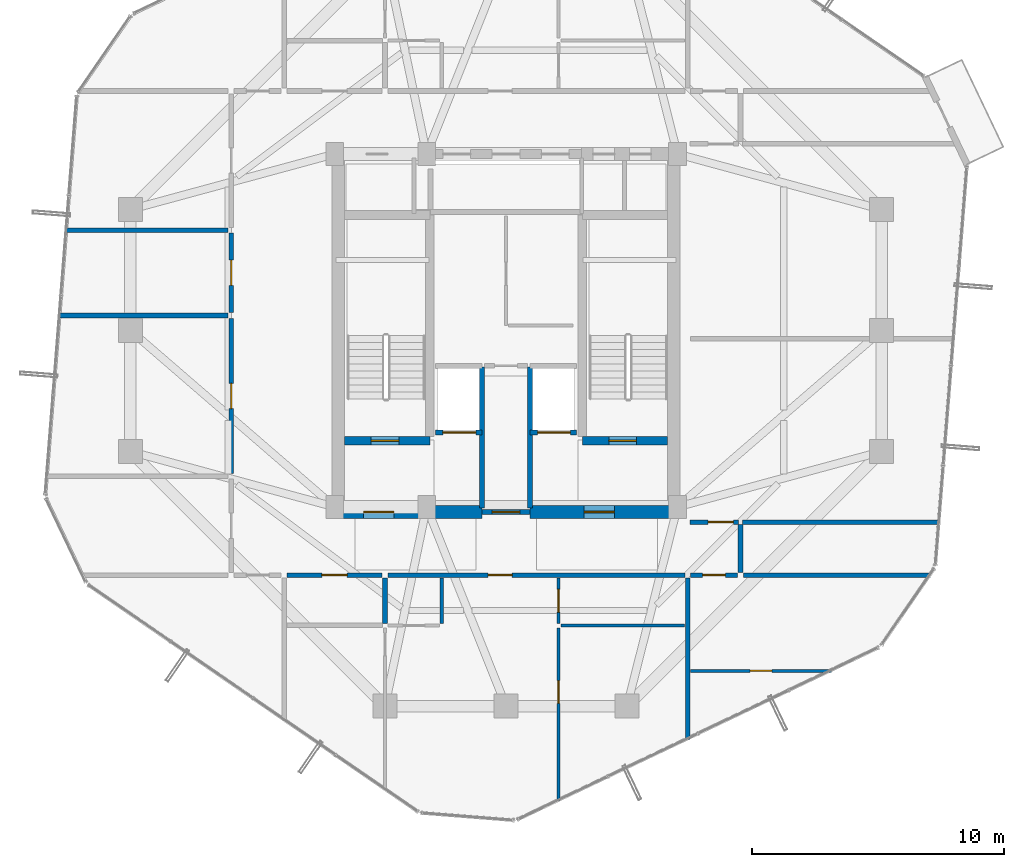
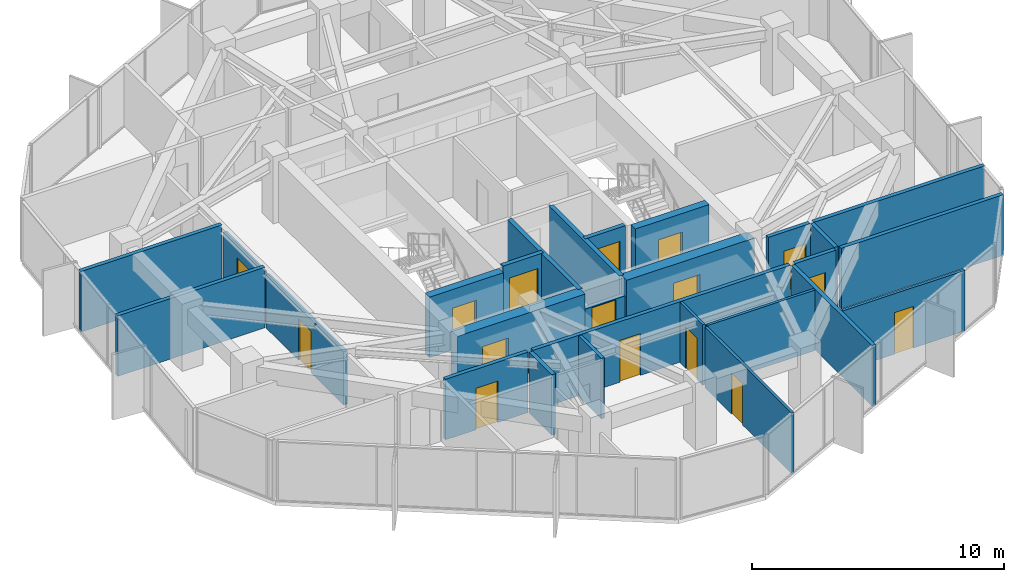
# One storey, part 25 of 29: 27 walls, 16 doors, 16 openings.
"""IFC4 building model written with IfcOpenShell, lengths in metres."""

import ifcopenshell
import ifcopenshell.guid

model = None  # the IFC model being written
_history = None  # IfcOwnerHistory: only IFC2X3 demands one
_inside = {}  # id of a spatial element -> (the spatial element, [elements in it])
_under = {}  # id of a project, library or spatial element -> (it, [spatial elements below it])
_declared = {}  # id of a project -> (the project, [libraries it declares])
_typed = {}  # id of a type object -> (the type object, [elements of that type])
_made_of = {}  # id of a material, layer set ... -> (it, [elements and type objects made of it])


def new_model(schema):
    """Start an empty IFC model of exactly this schema.

    Asked for "IFC4X3", IfcOpenShell would pick the latest addendum, in which some entities
    have other attributes; the version numbers below select the first issue.
    IFC2X3 requires an IfcOwnerHistory on every rooted entity: one is made here for all.
    """
    global model, _history
    if schema == "IFC4X3":
        model = ifcopenshell.file(schema_version=(4, 3, 0, 0))
    else:
        model = ifcopenshell.file(schema=schema)
    _inside.clear()
    _under.clear()
    _declared.clear()
    _typed.clear()
    _made_of.clear()
    _history = None
    if model.schema == "IFC2X3":
        org = make("IfcOrganization", Name="unknown")
        user = make(
            "IfcPersonAndOrganization",
            ThePerson=make("IfcPerson", FamilyName="unknown"),
            TheOrganization=org,
        )
        app = make(
            "IfcApplication",
            ApplicationDeveloper=org,
            Version="unknown",
            ApplicationFullName="unknown",
            ApplicationIdentifier="unknown",
        )
        _history = make(
            "IfcOwnerHistory",
            OwningUser=user,
            OwningApplication=app,
            ChangeAction="ADDED",
            CreationDate=0,
        )
    return model


def make(cls, **values):
    """One entity of the class cls with the attributes given. An attribute that is None is left unset."""
    return model.create_entity(
        cls, **{name: value for name, value in values.items() if value is not None}
    )


def rooted(cls, **values):
    """An entity with a GlobalId (a new one), such as an element, a storey or a relation."""
    return make(cls, GlobalId=ifcopenshell.guid.new(), OwnerHistory=_history, **values)


def si_unit(unit_type, name, prefix=None):
    """IfcSIUnit, for example si_unit("LENGTHUNIT", "METRE", prefix="MILLI")."""
    return make("IfcSIUnit", UnitType=unit_type, Prefix=prefix, Name=name)


def assignment(units):
    """IfcUnitAssignment: the units of a project."""
    return None if units is None else make("IfcUnitAssignment", Units=units)


def point(xyz):
    """IfcCartesianPoint."""
    return None if xyz is None else make("IfcCartesianPoint", Coordinates=xyz)


def direction(xyz):
    """IfcDirection."""
    return None if xyz is None else make("IfcDirection", DirectionRatios=xyz)


def frame(location, z_axis=None, x_axis=None):
    """IfcAxis2Placement3D, a coordinate frame: its origin and axes. An axis left out is left unset."""
    return make(
        "IfcAxis2Placement3D",
        Location=point(location),
        Axis=direction(z_axis),
        RefDirection=direction(x_axis),
    )


def frame_2d(location, x_axis=None):
    """IfcAxis2Placement2D, a coordinate frame in the plane: its origin and x axis."""
    return make(
        "IfcAxis2Placement2D", Location=point(location), RefDirection=direction(x_axis)
    )


def origin():
    """The frame at (0, 0, 0) with its axes left unset."""
    return frame((0.0, 0.0, 0.0))


def place(relative_to, where):
    """IfcLocalPlacement: puts the frame where relative to a parent placement (None: the world)."""
    return make(
        "IfcLocalPlacement", PlacementRelTo=relative_to, RelativePlacement=where
    )


def context(
    kind, dimensions, precision=None, world=None, true_north=None, identifier=None
):
    """IfcGeometricRepresentationContext, for example the 3D "Model" context."""
    return make(
        "IfcGeometricRepresentationContext",
        ContextIdentifier=identifier,
        ContextType=kind,
        CoordinateSpaceDimension=dimensions,
        Precision=precision,
        WorldCoordinateSystem=world,
        TrueNorth=true_north,
    )


def subcontext(parent, identifier, kind, view, scale=None):
    """IfcGeometricRepresentationSubContext, for example "Body" below "Model"."""
    return make(
        "IfcGeometricRepresentationSubContext",
        ContextIdentifier=identifier,
        ContextType=kind,
        ParentContext=parent,
        TargetScale=scale,
        TargetView=view,
    )


def project(units=None, contexts=None):
    """IfcProject with its units and contexts."""
    return rooted(
        "IfcProject",
        Name="project",
        RepresentationContexts=contexts,
        UnitsInContext=assignment(units),
    )


def spatial(cls, under=None, at=None, **own):
    """A site, building, storey or space (cls), placed at a placement, below another one or the project."""
    s = rooted(cls, ObjectPlacement=at, **own)
    if under is not None:
        _under.setdefault(under.id(), (under, []))[1].append(s)
    return s


def profile(cls, at=None, kind="AREA", **sizes):
    """A parametric profile (cls). Its sizes go by their IFC names, for example OverallWidth=200.0."""
    return make(cls, ProfileType=kind, Position=at, **sizes)


def rectangle(**sizes):
    """IfcRectangleProfileDef."""
    return profile("IfcRectangleProfileDef", **sizes)


def extrude(swept, where, along, depth):
    """IfcExtrudedAreaSolid: the profile swept, set in the frame where, extruded along a direction by depth."""
    return make(
        "IfcExtrudedAreaSolid",
        SweptArea=swept,
        Position=where,
        ExtrudedDirection=direction(along),
        Depth=depth,
    )


def shape(context_of_items, identifier, shape_type, items):
    """IfcShapeRepresentation: the items that make up one representation, for example the "Body"."""
    return make(
        "IfcShapeRepresentation",
        ContextOfItems=context_of_items,
        RepresentationIdentifier=identifier,
        RepresentationType=shape_type,
        Items=items,
    )


def source(mapping_origin, context_of_items, identifier, shape_type, items):
    """IfcRepresentationMap: a shape defined once, which mapped items show again and again."""
    return make(
        "IfcRepresentationMap",
        MappingOrigin=mapping_origin,
        MappedRepresentation=shape(context_of_items, identifier, shape_type, items),
    )


def transform(
    local_origin,
    x_axis=None,
    y_axis=None,
    z_axis=None,
    scale=None,
    scale2=None,
    scale3=None,
    uniform=True,
):
    """IfcCartesianTransformationOperator3D, or its non-uniform kind. x_axis, y_axis, z_axis: its Axis1, 2, 3."""
    if uniform:
        return make(
            "IfcCartesianTransformationOperator3D",
            Axis1=direction(x_axis),
            Axis2=direction(y_axis),
            LocalOrigin=point(local_origin),
            Scale=scale,
            Axis3=direction(z_axis),
        )
    return make(
        "IfcCartesianTransformationOperator3DnonUniform",
        Axis1=direction(x_axis),
        Axis2=direction(y_axis),
        LocalOrigin=point(local_origin),
        Scale=scale,
        Axis3=direction(z_axis),
        Scale2=scale2,
        Scale3=scale3,
    )


def mapped(mapping_source, mapping_target):
    """IfcMappedItem: shows the shape of a source again, moved by a transform."""
    return make(
        "IfcMappedItem", MappingSource=mapping_source, MappingTarget=mapping_target
    )


def material(Name=None, Category=None):
    """IfcMaterial."""
    return make("IfcMaterial", Name=Name, Category=Category)


def layer(
    of_material, thickness, ventilated=None, Name=None, Category=None, Priority=None
):
    """IfcMaterialLayer: one layer of a wall or slab, of a material (None: an air gap)."""
    return make(
        "IfcMaterialLayer",
        Material=of_material,
        LayerThickness=thickness,
        IsVentilated=ventilated,
        Name=Name,
        Category=Category,
        Priority=Priority,
    )


def layer_set(layers, Name=None):
    """IfcMaterialLayerSet."""
    return make("IfcMaterialLayerSet", MaterialLayers=layers, LayerSetName=Name)


def made_of(thing, what):
    """Note that an element or type object is made of a material, layer set ...; save() writes the relation."""
    if what is not None:
        _made_of.setdefault(what.id(), (what, []))[1].append(thing)
    return thing


def type_object(cls, material=None, **own):
    """A type object (cls), such as IfcWallType, which elements share."""
    return made_of(rooted(cls, **own), material)


def element(
    cls,
    number,
    at=None,
    inside=None,
    cuts=None,
    type_object=None,
    material=None,
    context=None,
    identifier="Body",
    shape_type=None,
    held_by="IfcProductDefinitionShape",
    body=None,
    shapes=None,
    **own,
):
    """One element of the class cls, such as IfcWall. Its Tag is "e" and its number.

    at: its placement. inside: the storey or other place that contains it. cuts: it is an
    opening in that element (IfcRelVoidsElement). A single representation is given by context,
    identifier, shape_type and body (its items); several are given by shapes. held_by: the class
    of the entity that holds the representations. save() writes the other relations.
    """
    e = rooted(cls, Tag="e%d" % number, ObjectPlacement=at, **own)
    if body is not None:
        shapes = [shape(context, identifier, shape_type, body)]
    if shapes is not None:
        e.Representation = make(held_by, Representations=shapes)
    if inside is not None:
        _inside.setdefault(inside.id(), (inside, []))[1].append(e)
    if cuts is not None:
        rooted(
            "IfcRelVoidsElement", RelatingBuildingElement=cuts, RelatedOpeningElement=e
        )
    if type_object is not None:
        _typed.setdefault(type_object.id(), (type_object, []))[1].append(e)
    return made_of(e, material)


def fill(opening, filler):
    """IfcRelFillsElement: the door or window that sits in an opening."""
    return rooted(
        "IfcRelFillsElement",
        RelatingOpeningElement=opening,
        RelatedBuildingElement=filler,
    )


def aggregate(whole, parts):
    """IfcRelAggregates: a whole, such as a stair, and the parts it consists of."""
    return rooted("IfcRelAggregates", RelatingObject=whole, RelatedObjects=parts)


def save(model, path):
    """Write the relations noted so far, then the file.

    IfcRelAggregates (storeys below a building ...), IfcRelContainedInSpatialStructure (elements
    in a storey), IfcRelDefinesByType, IfcRelAssociatesMaterial and IfcRelDeclares: one each for
    every whole, place, type object, material and project.
    """
    for whole, parts in _under.values():
        aggregate(whole, parts)
    for where, things in _inside.values():
        rooted(
            "IfcRelContainedInSpatialStructure",
            RelatedElements=things,
            RelatingStructure=where,
        )
    for kind, things in _typed.values():
        rooted("IfcRelDefinesByType", RelatedObjects=things, RelatingType=kind)
    for what, things in _made_of.values():
        rooted("IfcRelAssociatesMaterial", RelatedObjects=things, RelatingMaterial=what)
    for by, libraries in _declared.values():
        rooted("IfcRelDeclares", RelatingContext=by, RelatedDefinitions=libraries)
    model.write(path)


model = new_model("IFC4")

# Units and contexts
model_context = context("Model", 3, precision=1e-05, world=origin(), true_north=direction((0.0, 1.0)))
body_context = subcontext(model_context, "Body", "Model", "MODEL_VIEW")
ifc_project = project(units=[si_unit("LENGTHUNIT", "METRE"), si_unit("AREAUNIT", "SQUARE_METRE"), si_unit("VOLUMEUNIT", "CUBIC_METRE"), si_unit("PLANEANGLEUNIT", "RADIAN"), si_unit("MASSUNIT", "GRAM", prefix="KILO")], contexts=[model_context])

# Site, building, storey
site_placement = place(None, origin())
site = spatial("IfcSite", under=ifc_project, at=site_placement, CompositionType="ELEMENT")
building_placement = place(site_placement, origin())
building = spatial("IfcBuilding", under=site, at=building_placement, Name="Veraguas Prism Commons", CompositionType="ELEMENT")
storey_placement = place(building_placement, frame((0.0, 0.0, 222.14990234375)))
storey = spatial("IfcBuildingStorey", under=building, at=storey_placement, Name="L63", CompositionType="ELEMENT", Elevation=222.14990234375)

# Wall, opening, door
ifc_material_1 = material(Name="Concrete C50/60", Category="concrete")
ifc_layer_1 = layer(ifc_material_1, 0.35009765625, Name="Core Internal Shear Wall Upper RC 350", Category="concrete")
ifc_layer_set_1 = layer_set([ifc_layer_1], Name="Concrete C50/60")
wall_type_1 = type_object("IfcWallType", Name="Core Internal Shear Wall Upper RC 350", PredefinedType="SHEAR", material=ifc_layer_set_1)
wall_1_placement = place(storey_placement, frame((17.60009765625, 19.625, 0.0), z_axis=(0.0, 0.0, 1.0), x_axis=(1.0, 0.0, 0.0)))
wall_1 = element("IfcWall", 1, at=wall_1_placement, inside=storey, type_object=wall_type_1, Name="Stair ST-01 South Shear Wall L63", PredefinedType="SHEAR", context=body_context, shape_type="SweptSolid", body=[
    extrude(rectangle(XDim=3.375, YDim=0.35009765625, at=frame_2d((1.6875, 0.0))), origin(), (0.0, 0.0, 1.0), 2.93017578125),
])
opening_1_placement = place(wall_1_placement, frame((1.050048828125, 0.0, 0.0)))
opening_1 = element("IfcOpeningElement", 2, at=opening_1_placement, cuts=wall_1, Name="Opening DR-05", PredefinedType="OPENING", context=body_context, shape_type="SweptSolid", body=[
    extrude(rectangle(XDim=1.10009765625, YDim=2.030029296875, at=frame_2d((0.550048828125, 1.01513671875))), frame((0.0, 0.18505859375, 0.0), z_axis=(0.0, -1.0, 0.0), x_axis=(1.0, 0.0, 0.0)), (0.0, 0.0, 1.0), 0.3701171875),
])
ifc_material_2 = material(Name="Steel fire-rated door assembly", Category="steel")
door_type_1 = type_object("IfcDoorType", Name="Protected Stair and Refuge Fire Door 1100x2030", OperationType="NOTDEFINED", PredefinedType="DOOR", material=ifc_material_2)
shared_shape_1 = source(origin(), body_context, "Body", "SweptSolid", [
    extrude(rectangle(XDim=1.10009765625, YDim=2.030029296875, at=frame_2d((0.550048828125, 1.01513671875))), frame((0.0, 0.02490234375, 0.0), z_axis=(0.0, -1.0, 0.0), x_axis=(1.0, 0.0, 0.0)), (0.0, 0.0, 1.0), 0.050048828125),
])
door_1_placement = place(opening_1_placement, origin())
door_1 = element("IfcDoor", 3, at=door_1_placement, inside=storey, type_object=door_type_1, Name="Stair ST-01 Enclosure Door L63", OperationType="SINGLE_SWING_LEFT", OverallHeight=2.030029296875, OverallWidth=1.10009765625, PredefinedType="DOOR", context=body_context, shape_type="MappedRepresentation", body=[
    mapped(shared_shape_1, transform((0.0, 0.0, 0.0), scale=1.0)),
])
fill(opening_1, door_1)

wall_2_placement = place(storey_placement, frame((27.02490234375, 19.625, 0.0), z_axis=(0.0, 0.0, 1.0), x_axis=(1.0, 0.0, 0.0)))
wall_2 = element("IfcWall", 4, at=wall_2_placement, inside=storey, type_object=wall_type_1, Name="Stair ST-02 South Shear Wall L63", PredefinedType="SHEAR", context=body_context, shape_type="SweptSolid", body=[
    extrude(rectangle(XDim=3.375, YDim=0.35009765625, at=frame_2d((1.6875, 0.0))), origin(), (0.0, 0.0, 1.0), 2.93017578125),
])
opening_2_placement = place(wall_2_placement, frame((1.050048828125, 0.0, 0.0)))
opening_2 = element("IfcOpeningElement", 5, at=opening_2_placement, cuts=wall_2, Name="Opening DR-05", PredefinedType="OPENING", context=body_context, shape_type="SweptSolid", body=[
    extrude(rectangle(XDim=1.10009765625, YDim=2.030029296875, at=frame_2d((0.550048828125, 1.01513671875))), frame((0.0, 0.18505859375, 0.0), z_axis=(0.0, -1.0, 0.0), x_axis=(1.0, 0.0, 0.0)), (0.0, 0.0, 1.0), 0.3701171875),
])
door_2_placement = place(opening_2_placement, origin())
door_2 = element("IfcDoor", 6, at=door_2_placement, inside=storey, type_object=door_type_1, Name="Stair ST-02 Enclosure Door L63", OperationType="SINGLE_SWING_RIGHT", OverallHeight=2.030029296875, OverallWidth=1.10009765625, PredefinedType="DOOR", context=body_context, shape_type="MappedRepresentation", body=[
    mapped(shared_shape_1, transform((0.0, 0.0, 0.0), scale=1.0)),
])
fill(opening_2, door_2)

ifc_layer_2 = layer(ifc_material_1, 0.5, Name="Core Outer Shear Wall Upper RC 500", Category="concrete")
ifc_layer_set_2 = layer_set([ifc_layer_2], Name="Concrete C50/60")
wall_type_2 = type_object("IfcWallType", Name="Core Outer Shear Wall Upper RC 500", PredefinedType="SHEAR", material=ifc_layer_set_2)
wall_3_placement = place(storey_placement, frame((17.199951171875, 16.800048828125, 0.0), z_axis=(0.0, 0.0, 1.0), x_axis=(1.0, 0.0, 0.0)))
wall_3 = element("IfcWall", 7, at=wall_3_placement, inside=storey, type_object=wall_type_2, Name="Central Core South-West Shear Wall L63", PredefinedType="SHEAR", context=body_context, shape_type="SweptSolid", body=[
    extrude(rectangle(XDim=5.85009765625, YDim=0.5, at=frame_2d((2.925048828125, 0.0))), origin(), (0.0, 0.0, 1.0), 2.93017578125),
])
opening_3_placement = place(wall_3_placement, frame((1.14990234375, 0.0, 0.0)))
opening_3 = element("IfcOpeningElement", 8, at=opening_3_placement, cuts=wall_3, Name="Opening DR-06", PredefinedType="OPENING", context=body_context, shape_type="SweptSolid", body=[
    extrude(rectangle(XDim=1.199951171875, YDim=2.030029296875, at=frame_2d((0.60009765625, 1.01513671875))), frame((0.0, 0.260009765625, 0.0), z_axis=(0.0, -1.0, 0.0), x_axis=(1.0, 0.0, 0.0)), (0.0, 0.0, 1.0), 0.52001953125),
])
door_type_2 = type_object("IfcDoorType", Name="Firefighting Lobby Smoke Door 1200x2030", OperationType="NOTDEFINED", PredefinedType="DOOR", material=ifc_material_2)
shared_shape_2 = source(origin(), body_context, "Body", "SweptSolid", [
    extrude(rectangle(XDim=1.199951171875, YDim=2.030029296875, at=frame_2d((0.60009765625, 1.01513671875))), frame((0.0, 0.02490234375, 0.0), z_axis=(0.0, -1.0, 0.0), x_axis=(1.0, 0.0, 0.0)), (0.0, 0.0, 1.0), 0.050048828125),
])
door_3_placement = place(opening_3_placement, origin())
door_3 = element("IfcDoor", 9, at=door_3_placement, inside=storey, type_object=door_type_2, Name="West FF Lobby Door L63", OperationType="SINGLE_SWING_LEFT", OverallHeight=2.030029296875, OverallWidth=1.199951171875, PredefinedType="DOOR", context=body_context, shape_type="MappedRepresentation", body=[
    mapped(shared_shape_2, transform((0.0, 0.0, 0.0), scale=1.0)),
])
fill(opening_3, door_3)

wall_4_placement = place(storey_placement, frame((24.949951171875, 16.800048828125, 0.0), z_axis=(0.0, 0.0, 1.0), x_axis=(1.0, 0.0, 0.0)))
wall_4 = element("IfcWall", 10, at=wall_4_placement, inside=storey, type_object=wall_type_2, Name="Central Core South-East Shear Wall L63", PredefinedType="SHEAR", context=body_context, shape_type="SweptSolid", body=[
    extrude(rectangle(XDim=5.85009765625, YDim=0.5, at=frame_2d((2.925048828125, 0.0))), origin(), (0.0, 0.0, 1.0), 2.93017578125),
])
opening_4_placement = place(wall_4_placement, frame((2.14990234375, 0.0, 0.0)))
opening_4 = element("IfcOpeningElement", 11, at=opening_4_placement, cuts=wall_4, Name="Opening DR-06", PredefinedType="OPENING", context=body_context, shape_type="SweptSolid", body=[
    extrude(rectangle(XDim=1.199951171875, YDim=2.030029296875, at=frame_2d((0.60009765625, 1.01513671875))), frame((0.0, 0.260009765625, 0.0), z_axis=(0.0, -1.0, 0.0), x_axis=(1.0, 0.0, 0.0)), (0.0, 0.0, 1.0), 0.52001953125),
])
door_4_placement = place(opening_4_placement, origin())
door_4 = element("IfcDoor", 12, at=door_4_placement, inside=storey, type_object=door_type_2, Name="East FF Lobby Door L63", OperationType="SINGLE_SWING_LEFT", OverallHeight=2.030029296875, OverallWidth=1.199951171875, PredefinedType="DOOR", context=body_context, shape_type="MappedRepresentation", body=[
    mapped(shared_shape_2, transform((0.0, 0.0, 0.0), scale=1.0)),
])
fill(opening_4, door_4)

# Wall
ifc_material_3 = material(Name="Autoclaved aerated masonry block 10 MPa", Category="masonry")
ifc_layer_3 = layer(ifc_material_3, 0.179931640625, Name="Corridor and Inter-Tenancy Partition 180", Category="masonry")
ifc_layer_set_3 = layer_set([ifc_layer_3], Name="Autoclaved aerated masonry block 10 MPa")
wall_type_3 = type_object("IfcWallType", Name="Corridor and Inter-Tenancy Partition 180", PredefinedType="PARTITIONING", material=ifc_layer_set_3)
wall_5_placement = place(storey_placement, frame((31.199951171875, 14.179931640625, 0.0), z_axis=(0.0, 0.0, 1.0), x_axis=(0.0, -1.0, 0.0)))
element("IfcWall", 13, at=wall_5_placement, inside=storey, type_object=wall_type_3, Name="WL-L63-PT002", PredefinedType="PARTITIONING", context=body_context, shape_type="SweptSolid", body=[
    extrude(rectangle(XDim=6.400390625, YDim=0.179931640625, at=frame_2d((3.2001953125, 0.0))), origin(), (0.0, 0.0, 1.0), 2.93017578125),
])

# Wall, opening, door
wall_6_placement = place(storey_placement, frame((15.31005859375, 14.300048828125, 0.0), z_axis=(0.0, 0.0, 1.0), x_axis=(1.0, 0.0, 0.0)))
wall_6 = element("IfcWall", 14, at=wall_6_placement, inside=storey, type_object=wall_type_3, Name="WL-L63-PT003", PredefinedType="PARTITIONING", context=body_context, shape_type="SweptSolid", body=[
    extrude(rectangle(XDim=3.780029296875, YDim=0.179931640625, at=frame_2d((1.89013671875, 0.0))), origin(), (0.0, 0.0, 1.0), 2.93017578125),
])
opening_5_placement = place(wall_6_placement, frame((1.389892578125, 0.0, 0.0)))
opening_5 = element("IfcOpeningElement", 15, at=opening_5_placement, cuts=wall_6, Name="Opening DR-13", PredefinedType="OPENING", context=body_context, shape_type="SweptSolid", body=[
    extrude(rectangle(XDim=1.0, YDim=2.010009765625, at=frame_2d((0.5, 1.0048828125))), frame((0.0, 0.099853515625, 0.0), z_axis=(0.0, -1.0, 0.0), x_axis=(1.0, 0.0, 0.0)), (0.0, 0.0, 1.0), 0.199951171875),
])
door_type_3 = type_object("IfcDoorType", Name="Core Accessible WC and Clinic Fire Door 1000x2010", OperationType="NOTDEFINED", PredefinedType="DOOR", material=ifc_material_2)
shared_shape_3 = source(origin(), body_context, "Body", "SweptSolid", [
    extrude(rectangle(XDim=1.0, YDim=2.010009765625, at=frame_2d((0.5, 1.0048828125))), frame((0.0, 0.02490234375, 0.0), z_axis=(0.0, -1.0, 0.0), x_axis=(1.0, 0.0, 0.0)), (0.0, 0.0, 1.0), 0.050048828125),
])
door_5_placement = place(opening_5_placement, origin())
door_5 = element("IfcDoor", 16, at=door_5_placement, inside=storey, type_object=door_type_3, Name="Residents Study Alcove 63A Door", OperationType="SINGLE_SWING_LEFT", OverallHeight=2.010009765625, OverallWidth=1.0, PredefinedType="DOOR", context=body_context, shape_type="MappedRepresentation", body=[
    mapped(shared_shape_3, transform((0.0, 0.0, 0.0), scale=1.0)),
])
fill(opening_5, door_5)

wall_7_placement = place(storey_placement, frame((19.31005859375, 14.300048828125, 0.0), z_axis=(0.0, 0.0, 1.0), x_axis=(1.0, 0.0, 0.0)))
wall_7 = element("IfcWall", 17, at=wall_7_placement, inside=storey, type_object=wall_type_3, Name="WL-L63-PT004", PredefinedType="PARTITIONING", context=body_context, shape_type="SweptSolid", body=[
    extrude(rectangle(XDim=11.780029296875, YDim=0.179931640625, at=frame_2d((5.89013671875, 0.0))), origin(), (0.0, 0.0, 1.0), 2.93017578125),
])
opening_6_placement = place(wall_7_placement, frame((3.97998046875, 0.0, 0.0)))
opening_6 = element("IfcOpeningElement", 18, at=opening_6_placement, cuts=wall_7, Name="Opening DR-01", PredefinedType="OPENING", context=body_context, shape_type="SweptSolid", body=[
    extrude(rectangle(XDim=0.949951171875, YDim=2.02001953125, at=frame_2d((0.47509765625, 1.010009765625))), frame((0.0, 0.099853515625, 0.0), z_axis=(0.0, -1.0, 0.0), x_axis=(1.0, 0.0, 0.0)), (0.0, 0.0, 1.0), 0.199951171875),
])
ifc_material_4 = material(Name="Anodised aluminium EN AW-6063 T6", Category="aluminium")
door_type_4 = type_object("IfcDoorType", Name="Apartment Entrance Fire Door 950x2020", OperationType="NOTDEFINED", PredefinedType="DOOR", material=ifc_material_4)
shared_shape_4 = source(origin(), body_context, "Body", "SweptSolid", [
    extrude(rectangle(XDim=0.949951171875, YDim=2.02001953125, at=frame_2d((0.47509765625, 1.010009765625))), frame((0.0, 0.02490234375, 0.0), z_axis=(0.0, -1.0, 0.0), x_axis=(1.0, 0.0, 0.0)), (0.0, 0.0, 1.0), 0.050048828125),
])
door_6_placement = place(opening_6_placement, origin())
door_6 = element("IfcDoor", 19, at=door_6_placement, inside=storey, type_object=door_type_4, Name="Flat 63A Entrance Door", OperationType="SINGLE_SWING_RIGHT", OverallHeight=2.02001953125, OverallWidth=0.949951171875, PredefinedType="DOOR", context=body_context, shape_type="MappedRepresentation", body=[
    mapped(shared_shape_4, transform((0.0, 0.0, 0.0), scale=1.0)),
])
fill(opening_6, door_6)

# Wall
wall_8_placement = place(storey_placement, frame((19.199951171875, 14.179931640625, 0.0), z_axis=(0.0, 0.0, 1.0), x_axis=(0.0, -1.0, 0.0)))
element("IfcWall", 20, at=wall_8_placement, inside=storey, type_object=wall_type_3, Name="WL-L63-PT006", PredefinedType="PARTITIONING", context=body_context, shape_type="SweptSolid", body=[
    extrude(rectangle(XDim=1.800048828125, YDim=0.179931640625, at=frame_2d((0.89990234375, 0.0))), origin(), (0.0, 0.0, 1.0), 2.93017578125),
])

# Wall, opening, door
wall_9_placement = place(storey_placement, frame((13.10009765625, 18.322021484375, 0.0), z_axis=(0.0, 0.0, 1.0), x_axis=(0.0, 1.0, 0.0)))
wall_9 = element("IfcWall", 21, at=wall_9_placement, inside=storey, type_object=wall_type_3, Name="WL-L63-PT028", PredefinedType="PARTITIONING", context=body_context, shape_type="SweptSolid", body=[
    extrude(rectangle(XDim=6.161865234375, YDim=0.179931640625, at=frame_2d((3.0810546875, 0.0))), origin(), (0.0, 0.0, 1.0), 2.5771484375),
])
opening_7_placement = place(wall_9_placement, frame((2.5810546875, 0.0, 0.0)))
opening_7 = element("IfcOpeningElement", 22, at=opening_7_placement, cuts=wall_9, Name="Opening DR-13", PredefinedType="OPENING", context=body_context, shape_type="SweptSolid", body=[
    extrude(rectangle(XDim=1.0, YDim=2.010009765625, at=frame_2d((0.5, 1.0048828125))), frame((0.0, 0.099853515625, 0.0), z_axis=(0.0, -1.0, 0.0), x_axis=(1.0, 0.0, 0.0)), (0.0, 0.0, 1.0), 0.199951171875),
])
door_7_placement = place(opening_7_placement, origin())
door_7 = element("IfcDoor", 23, at=door_7_placement, inside=storey, type_object=door_type_3, Name="Co-op Store W Door", OperationType="SINGLE_SWING_RIGHT", OverallHeight=2.010009765625, OverallWidth=1.0, PredefinedType="DOOR", context=body_context, shape_type="MappedRepresentation", body=[
    mapped(shared_shape_3, transform((0.0, 0.0, 0.0), scale=1.0)),
])
fill(opening_7, door_7)

# Wall
wall_10_placement = place(storey_placement, frame((12.97998046875, 24.593994140625, 0.0), z_axis=(0.0, 0.0, 1.0), x_axis=(-1.0, 0.0, 0.0)))
element("IfcWall", 24, at=wall_10_placement, inside=storey, type_object=wall_type_3, Name="WL-L63-PT030", PredefinedType="PARTITIONING", context=body_context, shape_type="SweptSolid", body=[
    extrude(rectangle(XDim=6.728515625, YDim=0.179931640625, at=frame_2d((3.3642578125, 0.0))), origin(), (0.0, 0.0, 1.0), 2.93017578125),
])

# Wall, opening, door
wall_11_placement = place(storey_placement, frame((13.10009765625, 24.7041015625, 0.0), z_axis=(0.0, 0.0, 1.0), x_axis=(0.0, 1.0, 0.0)))
wall_11 = element("IfcWall", 25, at=wall_11_placement, inside=storey, type_object=wall_type_3, Name="WL-L63-PT031", PredefinedType="PARTITIONING", context=body_context, shape_type="SweptSolid", body=[
    extrude(rectangle(XDim=3.163818359375, YDim=0.179931640625, at=frame_2d((1.58203125, 0.0))), origin(), (0.0, 0.0, 1.0), 2.5771484375),
])
opening_8_placement = place(wall_11_placement, frame((1.08203125, 0.0, 0.0)))
opening_8 = element("IfcOpeningElement", 26, at=opening_8_placement, cuts=wall_11, Name="Opening DR-13", PredefinedType="OPENING", context=body_context, shape_type="SweptSolid", body=[
    extrude(rectangle(XDim=1.0, YDim=2.010009765625, at=frame_2d((0.5, 1.0048828125))), frame((0.0, 0.099853515625, 0.0), z_axis=(0.0, -1.0, 0.0), x_axis=(1.0, 0.0, 0.0)), (0.0, 0.0, 1.0), 0.199951171875),
])
door_8_placement = place(opening_8_placement, origin())
door_8 = element("IfcDoor", 27, at=door_8_placement, inside=storey, type_object=door_type_3, Name="Youth Homework Study Room Door", OperationType="SINGLE_SWING_LEFT", OverallHeight=2.010009765625, OverallWidth=1.0, PredefinedType="DOOR", context=body_context, shape_type="MappedRepresentation", body=[
    mapped(shared_shape_3, transform((0.0, 0.0, 0.0), scale=1.0)),
])
fill(opening_8, door_8)

# Walls
wall_12_placement = place(storey_placement, frame((12.97998046875, 27.97802734375, 0.0), z_axis=(0.0, 0.0, 1.0), x_axis=(-1.0, 0.0, 0.0)))
element("IfcWall", 28, at=wall_12_placement, inside=storey, type_object=wall_type_3, Name="WL-L63-PT033", PredefinedType="PARTITIONING", context=body_context, shape_type="SweptSolid", body=[
    extrude(rectangle(XDim=6.461181640625, YDim=0.179931640625, at=frame_2d((3.23046875, 0.0))), origin(), (0.0, 0.0, 1.0), 2.93017578125),
])
wall_13_placement = place(storey_placement, frame((33.300048828125, 14.39990234375, 0.0), z_axis=(0.0, 0.0, 1.0), x_axis=(0.0, 1.0, 0.0)))
element("IfcWall", 29, at=wall_13_placement, inside=storey, type_object=wall_type_3, Name="WL-L63-PT035", PredefinedType="PARTITIONING", context=body_context, shape_type="SweptSolid", body=[
    extrude(rectangle(XDim=1.900146484375, YDim=0.179931640625, at=frame_2d((0.9501953125, 0.0))), origin(), (0.0, 0.0, 1.0), 2.93017578125),
])

# Wall, opening, door
wall_14_placement = place(storey_placement, frame((31.300048828125, 16.39990234375, 0.0), z_axis=(0.0, 0.0, 1.0), x_axis=(1.0, 0.0, 0.0)))
wall_14 = element("IfcWall", 30, at=wall_14_placement, inside=storey, type_object=wall_type_3, Name="WL-L63-PT037", PredefinedType="PARTITIONING", context=body_context, shape_type="SweptSolid", body=[
    extrude(rectangle(XDim=1.919921875, YDim=0.179931640625, at=frame_2d((0.9599609375, 0.0))), origin(), (0.0, 0.0, 1.0), 2.93017578125),
])
opening_9_placement = place(wall_14_placement, frame((0.719970703125, 0.0, 0.0)))
opening_9 = element("IfcOpeningElement", 31, at=opening_9_placement, cuts=wall_14, Name="Opening DR-13", PredefinedType="OPENING", context=body_context, shape_type="SweptSolid", body=[
    extrude(rectangle(XDim=1.0, YDim=2.010009765625, at=frame_2d((0.5, 1.0048828125))), frame((0.0, 0.099853515625, 0.0), z_axis=(0.0, -1.0, 0.0), x_axis=(1.0, 0.0, 0.0)), (0.0, 0.0, 1.0), 0.199951171875),
])
door_9_placement = place(opening_9_placement, origin())
door_9 = element("IfcDoor", 32, at=door_9_placement, inside=storey, type_object=door_type_3, Name="Panorama Lounge Door L63", OperationType="SINGLE_SWING_LEFT", OverallHeight=2.010009765625, OverallWidth=1.0, PredefinedType="DOOR", context=body_context, shape_type="MappedRepresentation", body=[
    mapped(shared_shape_3, transform((0.0, 0.0, 0.0), scale=1.0)),
])
fill(opening_9, door_9)

# Walls
wall_15_placement = place(storey_placement, frame((33.3798828125, 16.39990234375, 0.0), z_axis=(0.0, 0.0, 1.0), x_axis=(1.0, 0.0, 0.0)))
element("IfcWall", 33, at=wall_15_placement, inside=storey, type_object=wall_type_3, Name="WL-L63-PT038", PredefinedType="PARTITIONING", context=body_context, shape_type="SweptSolid", body=[
    extrude(rectangle(XDim=7.81494140625, YDim=0.179931640625, at=frame_2d((3.907470703125, 0.0))), origin(), (0.0, 0.0, 1.0), 2.93017578125),
])
wall_16_placement = place(storey_placement, frame((33.419921875, 14.300048828125, 0.0), z_axis=(0.0, 0.0, 1.0), x_axis=(1.0, 0.0, 0.0)))
element("IfcWall", 34, at=wall_16_placement, inside=storey, type_object=wall_type_3, Name="WL-L63-PT042", PredefinedType="PARTITIONING", context=body_context, shape_type="SweptSolid", body=[
    extrude(rectangle(XDim=7.421630859375, YDim=0.179931640625, at=frame_2d((3.7109375, 0.0))), origin(), (0.0, 0.0, 1.0), 2.93017578125),
])

# Wall, opening, door
wall_17_placement = place(storey_placement, frame((31.320068359375, 14.300048828125, 0.0), z_axis=(0.0, 0.0, 1.0), x_axis=(1.0, 0.0, 0.0)))
wall_17 = element("IfcWall", 35, at=wall_17_placement, inside=storey, type_object=wall_type_3, Name="WL-L63-PT043", PredefinedType="PARTITIONING", context=body_context, shape_type="SweptSolid", body=[
    extrude(rectangle(XDim=1.85986328125, YDim=0.179931640625, at=frame_2d((0.929931640625, 0.0))), origin(), (0.0, 0.0, 1.0), 2.93017578125),
])
opening_10_placement = place(wall_17_placement, frame((0.47998046875, 0.0, 0.0)))
opening_10 = element("IfcOpeningElement", 36, at=opening_10_placement, cuts=wall_17, Name="Opening DR-14", PredefinedType="OPENING", context=body_context, shape_type="SweptSolid", body=[
    extrude(rectangle(XDim=0.89990234375, YDim=2.010009765625, at=frame_2d((0.449951171875, 1.0048828125))), frame((0.0, 0.099853515625, 0.0), z_axis=(0.0, -1.0, 0.0), x_axis=(1.0, 0.0, 0.0)), (0.0, 0.0, 1.0), 0.199951171875),
])
door_type_5 = type_object("IfcDoorType", Name="Core Service Room Fire Door 900x2010", OperationType="NOTDEFINED", PredefinedType="DOOR", material=ifc_material_2)
shared_shape_5 = source(origin(), body_context, "Body", "SweptSolid", [
    extrude(rectangle(XDim=0.89990234375, YDim=2.010009765625, at=frame_2d((0.449951171875, 1.0048828125))), frame((0.0, 0.02490234375, 0.0), z_axis=(0.0, -1.0, 0.0), x_axis=(1.0, 0.0, 0.0)), (0.0, 0.0, 1.0), 0.050048828125),
])
door_10_placement = place(opening_10_placement, origin())
door_10 = element("IfcDoor", 37, at=door_10_placement, inside=storey, type_object=door_type_5, Name="Shared Laundry Room Door", OperationType="SINGLE_SWING_RIGHT", OverallHeight=2.010009765625, OverallWidth=0.89990234375, PredefinedType="DOOR", context=body_context, shape_type="MappedRepresentation", body=[
    mapped(shared_shape_5, transform((0.0, 0.0, 0.0), scale=1.0)),
])
fill(opening_10, door_10)

ifc_material_5 = material(Name="Lightweight acoustic gypsum board")
ifc_layer_4 = layer(ifc_material_5, 0.125, Name="Internal Apartment Room Partition 125")
ifc_layer_set_4 = layer_set([ifc_layer_4], Name="Lightweight acoustic gypsum board")
wall_type_4 = type_object("IfcWallType", Name="Internal Apartment Room Partition 125", PredefinedType="PARTITIONING", material=ifc_layer_set_4)
wall_18_placement = place(storey_placement, frame((26.080078125, 14.179931640625, 0.0), z_axis=(0.0, 0.0, 1.0), x_axis=(0.0, -1.0, 0.0)))
wall_18 = element("IfcWall", 38, at=wall_18_placement, inside=storey, type_object=wall_type_4, Name="WL-L63-PT010", PredefinedType="PARTITIONING", context=body_context, shape_type="SweptSolid", body=[
    extrude(rectangle(XDim=1.800048828125, YDim=0.125, at=frame_2d((0.89990234375, 0.0))), origin(), (0.0, 0.0, 1.0), 2.93017578125),
])
opening_11_placement = place(wall_18_placement, frame((0.449951171875, 0.0, 0.0)))
opening_11 = element("IfcOpeningElement", 39, at=opening_11_placement, cuts=wall_18, Name="Opening DR-02", PredefinedType="OPENING", context=body_context, shape_type="SweptSolid", body=[
    extrude(rectangle(XDim=0.89990234375, YDim=2.010009765625, at=frame_2d((0.449951171875, 1.0048828125))), frame((0.0, 0.072509765625, 0.0), z_axis=(0.0, -1.0, 0.0), x_axis=(1.0, 0.0, 0.0)), (0.0, 0.0, 1.0), 0.14501953125),
])
ifc_material_6 = material(Name="Timber solid core hardwood", Category="wood")
door_type_6 = type_object("IfcDoorType", Name="Internal Habitable Room Door 900x2010", OperationType="NOTDEFINED", PredefinedType="DOOR", material=ifc_material_6)
door_11_placement = place(opening_11_placement, origin())
door_11 = element("IfcDoor", 40, at=door_11_placement, inside=storey, type_object=door_type_6, Name="Flat 63A Kitchen Door", OperationType="SINGLE_SWING_LEFT", OverallHeight=2.010009765625, OverallWidth=0.89990234375, PredefinedType="DOOR", context=body_context, shape_type="MappedRepresentation", body=[
    mapped(shared_shape_5, transform((0.0, 0.0, 0.0), scale=1.0)),
])
fill(opening_11, door_11)

# Wall
wall_19_placement = place(storey_placement, frame((26.179931640625, 12.300048828125, 0.0), z_axis=(0.0, 0.0, 1.0), x_axis=(1.0, 0.0, 0.0)))
element("IfcWall", 41, at=wall_19_placement, inside=storey, type_object=wall_type_4, Name="WL-L63-PT011", PredefinedType="PARTITIONING", context=body_context, shape_type="SweptSolid", body=[
    extrude(rectangle(XDim=4.900146484375, YDim=0.125, at=frame_2d((2.4501953125, 0.0))), origin(), (0.0, 0.0, 1.0), 2.93017578125),
])

# Wall, opening, door
wall_20_placement = place(storey_placement, frame((26.080078125, 12.199951171875, 0.0), z_axis=(0.0, 0.0, 1.0), x_axis=(0.0, -1.0, 0.0)))
wall_20 = element("IfcWall", 42, at=wall_20_placement, inside=storey, type_object=wall_type_4, Name="WL-L63-PT012", PredefinedType="PARTITIONING", context=body_context, shape_type="SweptSolid", body=[
    extrude(rectangle(XDim=6.8603515625, YDim=0.125, at=frame_2d((3.43017578125, 0.0))), origin(), (0.0, 0.0, 1.0), 2.93017578125),
])
opening_12_placement = place(wall_20_placement, frame((2.090576171875, 0.0, 0.0)))
opening_12 = element("IfcOpeningElement", 43, at=opening_12_placement, cuts=wall_20, Name="Opening DR-02", PredefinedType="OPENING", context=body_context, shape_type="SweptSolid", body=[
    extrude(rectangle(XDim=0.89990234375, YDim=2.010009765625, at=frame_2d((0.449951171875, 1.0048828125))), frame((0.0, 0.072509765625, 0.0), z_axis=(0.0, -1.0, 0.0), x_axis=(1.0, 0.0, 0.0)), (0.0, 0.0, 1.0), 0.14501953125),
])
door_12_placement = place(opening_12_placement, origin())
door_12 = element("IfcDoor", 44, at=door_12_placement, inside=storey, type_object=door_type_6, Name="Flat 63A Bedroom 1 Door", OperationType="SINGLE_SWING_RIGHT", OverallHeight=2.010009765625, OverallWidth=0.89990234375, PredefinedType="DOOR", context=body_context, shape_type="MappedRepresentation", body=[
    mapped(shared_shape_5, transform((0.0, 0.0, 0.0), scale=1.0)),
])
fill(opening_12, door_12)

wall_21_placement = place(storey_placement, frame((31.320068359375, 10.5, 0.0), z_axis=(0.0, 0.0, 1.0), x_axis=(1.0, 0.0, 0.0)))
wall_21 = element("IfcWall", 45, at=wall_21_placement, inside=storey, type_object=wall_type_4, Name="WL-L63-PT044", PredefinedType="PARTITIONING", context=body_context, shape_type="SweptSolid", body=[
    extrude(rectangle(XDim=5.588623046875, YDim=0.125, at=frame_2d((2.79443359375, 0.0))), origin(), (0.0, 0.0, 1.0), 2.93017578125),
])
opening_13_placement = place(wall_21_placement, frame((2.364501953125, 0.0, 0.0)))
opening_13 = element("IfcOpeningElement", 46, at=opening_13_placement, cuts=wall_21, Name="Opening DR-03", PredefinedType="OPENING", context=body_context, shape_type="SweptSolid", body=[
    extrude(rectangle(XDim=0.860107421875, YDim=2.010009765625, at=frame_2d((0.43017578125, 1.0048828125))), frame((0.0, 0.072509765625, 0.0), z_axis=(0.0, -1.0, 0.0), x_axis=(1.0, 0.0, 0.0)), (0.0, 0.0, 1.0), 0.14501953125),
])
ifc_material_7 = material(Name="Timber moisture-resistant leaf", Category="wood")
door_type_7 = type_object("IfcDoorType", Name="Internal Bathroom Door 860x2010", OperationType="NOTDEFINED", PredefinedType="DOOR", material=ifc_material_7)
shared_shape_6 = source(origin(), body_context, "Body", "SweptSolid", [
    extrude(rectangle(XDim=0.860107421875, YDim=2.010009765625, at=frame_2d((0.43017578125, 1.0048828125))), frame((0.0, 0.02490234375, 0.0), z_axis=(0.0, -1.0, 0.0), x_axis=(1.0, 0.0, 0.0)), (0.0, 0.0, 1.0), 0.050048828125),
])
door_13_placement = place(opening_13_placement, origin())
door_13 = element("IfcDoor", 47, at=door_13_placement, inside=storey, type_object=door_type_7, Name="Corner Store SE Door", OperationType="SINGLE_SWING_LEFT", OverallHeight=2.010009765625, OverallWidth=0.860107421875, PredefinedType="DOOR", context=body_context, shape_type="MappedRepresentation", body=[
    mapped(shared_shape_6, transform((0.0, 0.0, 0.0), scale=1.0)),
])
fill(opening_13, door_13)

ifc_layer_5 = layer(ifc_material_3, 0.199951171875, Name="Rated Shaft and Lobby Block Wall 200", Category="masonry")
ifc_layer_set_5 = layer_set([ifc_layer_5], Name="Autoclaved aerated masonry block 10 MPa")
wall_type_5 = type_object("IfcWallType", Name="Rated Shaft and Lobby Block Wall 200", PredefinedType="SOLIDWALL", material=ifc_layer_set_5)
wall_22_placement = place(storey_placement, frame((23.050048828125, 16.800048828125, 0.0), z_axis=(0.0, 0.0, 1.0), x_axis=(1.0, 0.0, 0.0)))
wall_22 = element("IfcWall", 48, at=wall_22_placement, inside=storey, type_object=wall_type_5, Name="Central Core Lobby Entrance Wall L63", PredefinedType="SOLIDWALL", context=body_context, shape_type="SweptSolid", body=[
    extrude(rectangle(XDim=1.89990234375, YDim=0.199951171875, at=frame_2d((0.949951171875, 0.0))), origin(), (0.0, 0.0, 1.0), 2.080078125),
])
opening_14_placement = place(wall_22_placement, frame((0.39990234375, 0.0, 0.0)))
opening_14 = element("IfcOpeningElement", 49, at=opening_14_placement, cuts=wall_22, Name="Opening DR-05", PredefinedType="OPENING", context=body_context, shape_type="SweptSolid", body=[
    extrude(rectangle(XDim=1.10009765625, YDim=2.030029296875, at=frame_2d((0.550048828125, 1.01513671875))), frame((0.0, 0.10986328125, 0.0), z_axis=(0.0, -1.0, 0.0), x_axis=(1.0, 0.0, 0.0)), (0.0, 0.0, 1.0), 0.219970703125),
])
door_14_placement = place(opening_14_placement, origin())
door_14 = element("IfcDoor", 50, at=door_14_placement, inside=storey, type_object=door_type_1, Name="Central Lobby Door L63", OperationType="SINGLE_SWING_RIGHT", OverallHeight=2.030029296875, OverallWidth=1.10009765625, PredefinedType="DOOR", context=body_context, shape_type="MappedRepresentation", body=[
    mapped(shared_shape_1, transform((0.0, 0.0, 0.0), scale=1.0)),
])
fill(opening_14, door_14)

wall_23_placement = place(storey_placement, frame((21.199951171875, 19.949951171875, 0.0), z_axis=(0.0, 0.0, 1.0), x_axis=(1.0, 0.0, 0.0)))
wall_23 = element("IfcWall", 51, at=wall_23_placement, inside=storey, type_object=wall_type_5, Name="Firefighting Lift FFL-1 Front Wall L63", PredefinedType="SOLIDWALL", context=body_context, shape_type="SweptSolid", body=[
    extrude(rectangle(XDim=1.85009765625, YDim=0.199951171875, at=frame_2d((0.925048828125, 0.0))), origin(), (0.0, 0.0, 1.0), 2.93017578125),
])
opening_15_placement = place(wall_23_placement, frame((0.300048828125, 0.0, 0.0)))
opening_15 = element("IfcOpeningElement", 52, at=opening_15_placement, cuts=wall_23, Name="Opening LD-02", PredefinedType="OPENING", context=body_context, shape_type="SweptSolid", body=[
    extrude(rectangle(XDim=1.300048828125, YDim=2.25, at=frame_2d((0.64990234375, 1.125))), frame((0.0, 0.10986328125, 0.0), z_axis=(0.0, -1.0, 0.0), x_axis=(1.0, 0.0, 0.0)), (0.0, 0.0, 1.0), 0.219970703125),
])
ifc_material_8 = material(Name="Stainless steel AISI 316", Category="steel")
door_type_8 = type_object("IfcDoorType", Name="Firefighting Lift Sliding Landing Door 1300x2250", OperationType="NOTDEFINED", PredefinedType="DOOR", material=ifc_material_8)
shared_shape_7 = source(origin(), body_context, "Body", "SweptSolid", [
    extrude(rectangle(XDim=1.300048828125, YDim=2.25, at=frame_2d((0.64990234375, 1.125))), frame((0.0, 0.02490234375, 0.0), z_axis=(0.0, -1.0, 0.0), x_axis=(1.0, 0.0, 0.0)), (0.0, 0.0, 1.0), 0.050048828125),
])
door_15_placement = place(opening_15_placement, origin())
door_15 = element("IfcDoor", 53, at=door_15_placement, inside=storey, type_object=door_type_8, Name="Firefighting Lift FFL-1 Landing Door L63", OperationType="SLIDING_TO_LEFT", OverallHeight=2.25, OverallWidth=1.300048828125, PredefinedType="DOOR", context=body_context, shape_type="MappedRepresentation", body=[
    mapped(shared_shape_7, transform((0.0, 0.0, 0.0), scale=1.0)),
])
fill(opening_15, door_15)

wall_24_placement = place(storey_placement, frame((24.949951171875, 19.949951171875, 0.0), z_axis=(0.0, 0.0, 1.0), x_axis=(1.0, 0.0, 0.0)))
wall_24 = element("IfcWall", 54, at=wall_24_placement, inside=storey, type_object=wall_type_5, Name="Firefighting Lift FFL-2 Front Wall L63", PredefinedType="SOLIDWALL", context=body_context, shape_type="SweptSolid", body=[
    extrude(rectangle(XDim=1.85009765625, YDim=0.199951171875, at=frame_2d((0.925048828125, 0.0))), origin(), (0.0, 0.0, 1.0), 2.93017578125),
])
opening_16_placement = place(wall_24_placement, frame((0.300048828125, 0.0, 0.0)))
opening_16 = element("IfcOpeningElement", 55, at=opening_16_placement, cuts=wall_24, Name="Opening LD-02", PredefinedType="OPENING", context=body_context, shape_type="SweptSolid", body=[
    extrude(rectangle(XDim=1.300048828125, YDim=2.25, at=frame_2d((0.64990234375, 1.125))), frame((0.0, 0.10986328125, 0.0), z_axis=(0.0, -1.0, 0.0), x_axis=(1.0, 0.0, 0.0)), (0.0, 0.0, 1.0), 0.219970703125),
])
door_16_placement = place(opening_16_placement, origin())
door_16 = element("IfcDoor", 56, at=door_16_placement, inside=storey, type_object=door_type_8, Name="Firefighting Lift FFL-2 Front Wall L63", OperationType="SLIDING_TO_LEFT", OverallHeight=2.25, OverallWidth=1.300048828125, PredefinedType="DOOR", context=body_context, shape_type="MappedRepresentation", body=[
    mapped(shared_shape_7, transform((0.0, 0.0, 0.0), scale=1.0)),
])
fill(opening_16, door_16)

# Walls
for number, where, z_axis, x_axis, name in (
    (57, (23.050048828125, 16.949951171875, 0.0), (0.0, 0.0, 1.0), (0.0, 1.0, 0.0), "West FF Lobby Divider Wall L63"),
    (58, (24.949951171875, 16.949951171875, 0.0), (0.0, 0.0, 1.0), (0.0, 1.0, 0.0), "East FF Lobby Divider Wall L63"),
):
    element("IfcWall", number, at=place(storey_placement, frame(where, z_axis=z_axis, x_axis=x_axis)), inside=storey, type_object=wall_type_5, Name=name, PredefinedType="SOLIDWALL", context=body_context, shape_type="SweptSolid", body=[
        extrude(rectangle(XDim=5.60009765625, YDim=0.199951171875, at=frame_2d((2.800048828125, 0.0))), origin(), (0.0, 0.0, 1.0), 2.93017578125),
    ])
ifc_layer_6 = layer(ifc_material_5, 0.14990234375, Name="Wet Room and Clinic Acoustic Partition 150")
ifc_layer_set_6 = layer_set([ifc_layer_6], Name="Lightweight acoustic gypsum board")
wall_type_6 = type_object("IfcWallType", Name="Wet Room and Clinic Acoustic Partition 150", PredefinedType="PARTITIONING", material=ifc_layer_set_6)
wall_25_placement = place(storey_placement, frame((21.449951171875, 14.179931640625, 0.0), z_axis=(0.0, 0.0, 1.0), x_axis=(0.0, -1.0, 0.0)))
element("IfcWall", 59, at=wall_25_placement, inside=storey, type_object=wall_type_6, Name="WL-L63-PT008", PredefinedType="PARTITIONING", context=body_context, shape_type="SweptSolid", body=[
    extrude(rectangle(XDim=1.800048828125, YDim=0.14990234375, at=frame_2d((0.89990234375, 0.0))), origin(), (0.0, 0.0, 1.0), 2.93017578125),
])

save(model, "model.ifc")
